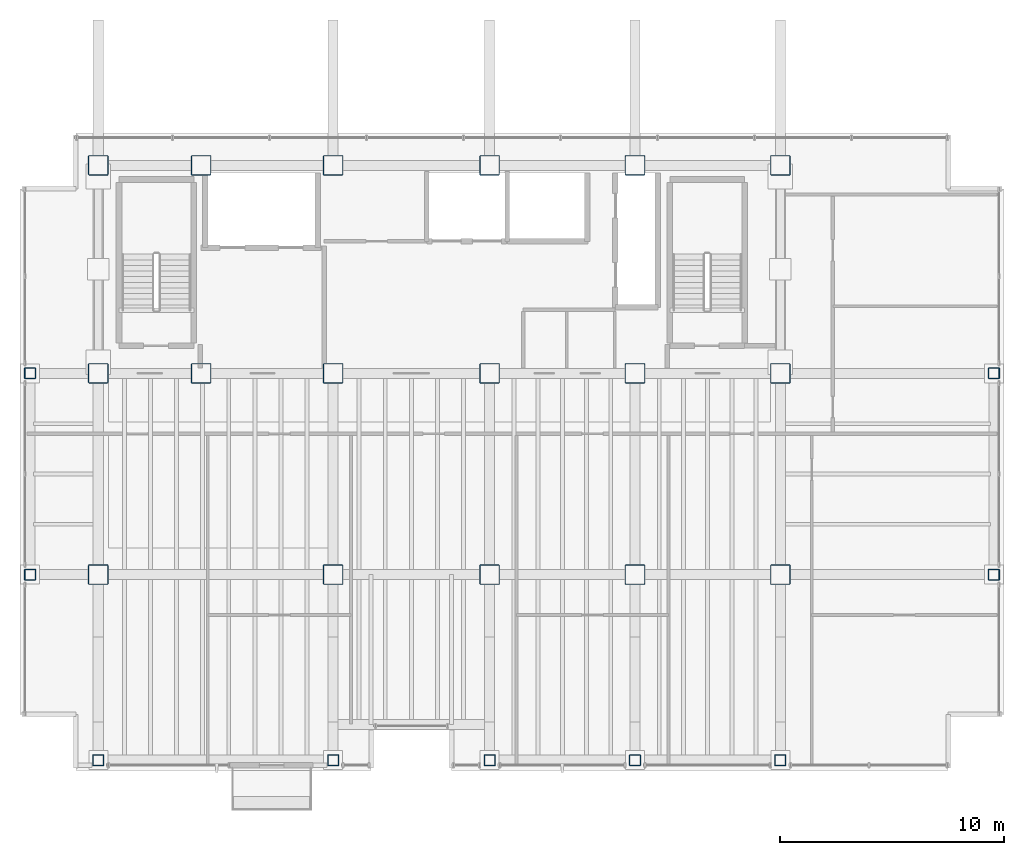
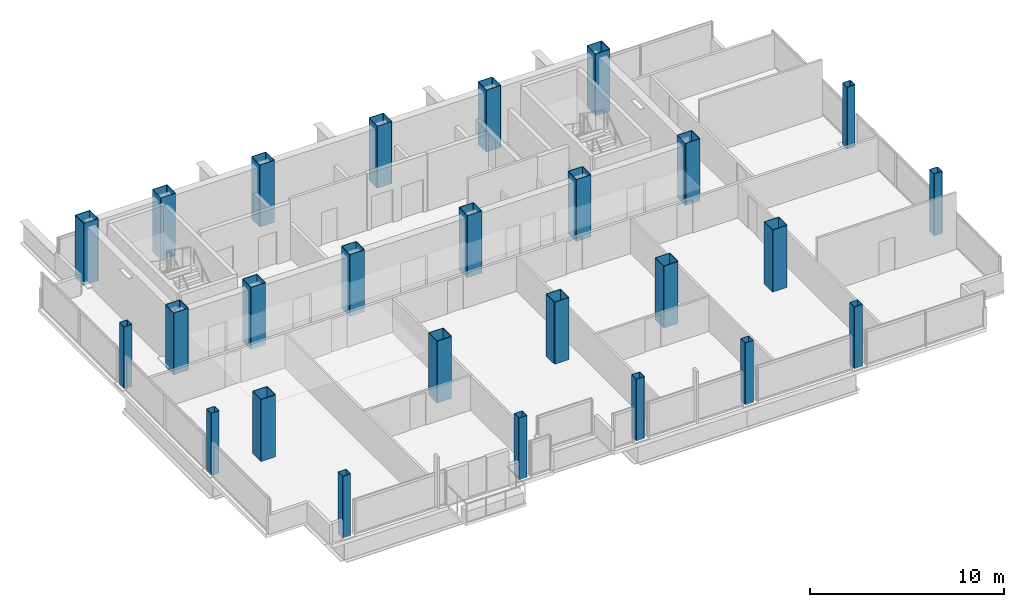
# One storey, part 1 of 17: 26 columns.
"""IFC4 building model written with IfcOpenShell, lengths in metres."""

from ifc_helpers import new_model, si_unit, direction, frame, origin, origin_2d, place, context, subcontext, project, spatial, hollow_rectangle, extrude, material, material_profile, profile_set, type_object, element, save


model = new_model("IFC4")

# Units and contexts
model_context = context("Model", 3, precision=1e-05, world=origin(), true_north=direction((0.0, 1.0)))
body_context = subcontext(model_context, "Body", "Model", "MODEL_VIEW")
ifc_project = project(units=[si_unit("LENGTHUNIT", "METRE"), si_unit("AREAUNIT", "SQUARE_METRE"), si_unit("VOLUMEUNIT", "CUBIC_METRE"), si_unit("PLANEANGLEUNIT", "RADIAN"), si_unit("MASSUNIT", "GRAM", prefix="KILO")], contexts=[model_context])

# Site, building, storey
site_placement = place(None, origin())
site = spatial("IfcSite", under=ifc_project, at=site_placement, CompositionType="ELEMENT")
building_placement = place(site_placement, origin())
building = spatial("IfcBuilding", under=site, at=building_placement, Name="Noeulbin Bourse Tower", CompositionType="ELEMENT")
storey_placement = place(building_placement, frame((0.0, 0.0, 196.800048828125)))
storey = spatial("IfcBuildingStorey", under=building, at=storey_placement, Name="L49", CompositionType="ELEMENT", Elevation=196.800048828125)

# Columns
ifc_material_1 = material(Name="Steel S355", Category="steel")
ifc_material_profile_1 = material_profile(ifc_material_1, hollow_rectangle(XDim=0.5, YDim=0.5, WallThickness=0.02392578125, InnerFilletRadius=0.011962890625, OuterFilletRadius=0.035888671875, at=origin_2d()), Name="BOX-500x500x24", Category="LoadBearing")
ifc_profile_set_1 = profile_set([ifc_material_profile_1], Name="Steel S355")
column_type_1 = type_object("IfcColumnType", Name="COL-PER-Z2", PredefinedType="COLUMN", material=ifc_profile_set_1)
for number, where, z_axis, x_axis, name in (
    (1, (10.449951171875, 20.0, 0.0), (0.0, 0.0, 1.0), (1.0, 0.0, 0.0), "Tower Perimeter Column COL-PER-Z2 01"),
    (2, (10.449951171875, 29.0, 0.0), (0.0, 0.0, 1.0), (1.0, 0.0, 0.0), "Tower Perimeter Column COL-PER-Z2 02"),
    (3, (13.5, 11.699951171875, 0.0), (0.0, 0.0, 1.0), (1.0, 0.0, 0.0), "Tower Perimeter Column COL-PER-Z2 03"),
    (4, (24.0, 11.699951171875, 0.0), (0.0, 0.0, 1.0), (1.0, 0.0, 0.0), "Tower Perimeter Column COL-PER-Z2 04"),
    (5, (31.0, 11.699951171875, 0.0), (0.0, 0.0, 1.0), (1.0, 0.0, 0.0), "Tower Perimeter Column COL-PER-Z2 05"),
    (6, (37.5, 11.699951171875, 0.0), (0.0, 0.0, 1.0), (1.0, 0.0, 0.0), "Tower Perimeter Column COL-PER-Z2 06"),
    (7, (44.0, 11.699951171875, 0.0), (0.0, 0.0, 1.0), (1.0, 0.0, 0.0), "Tower Perimeter Column COL-PER-Z2 07"),
    (8, (53.550048828125, 20.0, 0.0), (0.0, 0.0, 1.0), (1.0, 0.0, 0.0), "Tower Perimeter Column COL-PER-Z2 08"),
    (9, (53.550048828125, 29.0, 0.0), (0.0, 0.0, 1.0), (1.0, 0.0, 0.0), "Tower Perimeter Column COL-PER-Z2 09"),
):
    element("IfcColumn", number, at=place(storey_placement, frame(where, z_axis=z_axis, x_axis=x_axis)), inside=storey, type_object=column_type_1, Name=name, PredefinedType="COLUMN", context=body_context, shape_type="SweptSolid", body=[
        extrude(hollow_rectangle(XDim=0.5, YDim=0.5, WallThickness=0.02392578125, InnerFilletRadius=0.011962890625, OuterFilletRadius=0.035888671875, at=origin_2d()), origin(), (0.0, 0.0, 1.0), 3.89990234375),
    ])
ifc_material_2 = material(Name="Steel S460", Category="steel")
ifc_material_profile_2 = material_profile(ifc_material_2, hollow_rectangle(XDim=0.89990234375, YDim=0.89990234375, WallThickness=0.034912109375, InnerFilletRadius=0.01708984375, OuterFilletRadius=0.052001953125, at=origin_2d()), Name="BOX-900x900x35", Category="LoadBearing")
ifc_profile_set_2 = profile_set([ifc_material_profile_2], Name="Steel S460")
column_type_2 = type_object("IfcColumnType", Name="COL-TRK-Z2", PredefinedType="COLUMN", material=ifc_profile_set_2)
for number, where, z_axis, x_axis, name in (
    (10, (13.5, 29.0, 0.0), (0.0, 0.0, 1.0), (1.0, 0.0, 0.0), "Tower Trunk Mega-Column COL-TRK-Z2 01"),
    (11, (13.5, 38.300048828125, 0.0), (0.0, 0.0, 1.0), (1.0, 0.0, 0.0), "Tower Trunk Mega-Column COL-TRK-Z2 02"),
    (12, (18.10009765625, 29.0, 0.0), (0.0, 0.0, 1.0), (1.0, 0.0, 0.0), "Tower Trunk Mega-Column COL-TRK-Z2 03"),
    (13, (18.10009765625, 38.300048828125, 0.0), (0.0, 0.0, 1.0), (1.0, 0.0, 0.0), "Tower Trunk Mega-Column COL-TRK-Z2 04"),
    (14, (24.0, 29.0, 0.0), (0.0, 0.0, 1.0), (1.0, 0.0, 0.0), "Tower Trunk Mega-Column COL-TRK-Z2 05"),
    (15, (24.0, 38.300048828125, 0.0), (0.0, 0.0, 1.0), (1.0, 0.0, 0.0), "Tower Trunk Mega-Column COL-TRK-Z2 06"),
    (16, (31.0, 29.0, 0.0), (0.0, 0.0, 1.0), (1.0, 0.0, 0.0), "Tower Trunk Mega-Column COL-TRK-Z2 07"),
    (17, (31.0, 38.300048828125, 0.0), (0.0, 0.0, 1.0), (1.0, 0.0, 0.0), "Tower Trunk Mega-Column COL-TRK-Z2 08"),
    (18, (37.5, 29.0, 0.0), (0.0, 0.0, 1.0), (1.0, 0.0, 0.0), "Tower Trunk Mega-Column COL-TRK-Z2 09"),
    (19, (37.5, 38.300048828125, 0.0), (0.0, 0.0, 1.0), (1.0, 0.0, 0.0), "Tower Trunk Mega-Column COL-TRK-Z2 10"),
    (20, (44.0, 29.0, 0.0), (0.0, 0.0, 1.0), (1.0, 0.0, 0.0), "Tower Trunk Mega-Column COL-TRK-Z2 11"),
    (21, (44.0, 38.300048828125, 0.0), (0.0, 0.0, 1.0), (1.0, 0.0, 0.0), "Tower Trunk Mega-Column COL-TRK-Z2 12"),
    (22, (13.5, 20.0, 0.0), (0.0, 0.0, 1.0), (1.0, 0.0, 0.0), "Tower Trunk Mega-Column COL-TRK-Z2 13"),
    (23, (24.0, 20.0, 0.0), (0.0, 0.0, 1.0), (1.0, 0.0, 0.0), "Tower Trunk Mega-Column COL-TRK-Z2 14"),
    (24, (31.0, 20.0, 0.0), (0.0, 0.0, 1.0), (1.0, 0.0, 0.0), "Tower Trunk Mega-Column COL-TRK-Z2 15"),
    (25, (37.5, 20.0, 0.0), (0.0, 0.0, 1.0), (1.0, 0.0, 0.0), "Tower Trunk Mega-Column COL-TRK-Z2 16"),
    (26, (44.0, 20.0, 0.0), (0.0, 0.0, 1.0), (1.0, 0.0, 0.0), "Tower Trunk Mega-Column COL-TRK-Z2 17"),
):
    element("IfcColumn", number, at=place(storey_placement, frame(where, z_axis=z_axis, x_axis=x_axis)), inside=storey, type_object=column_type_2, Name=name, PredefinedType="COLUMN", context=body_context, shape_type="SweptSolid", body=[
        extrude(hollow_rectangle(XDim=0.89990234375, YDim=0.89990234375, WallThickness=0.034912109375, InnerFilletRadius=0.01708984375, OuterFilletRadius=0.052001953125, at=origin_2d()), origin(), (0.0, 0.0, 1.0), 3.89990234375),
    ])

save(model, "model.ifc")
